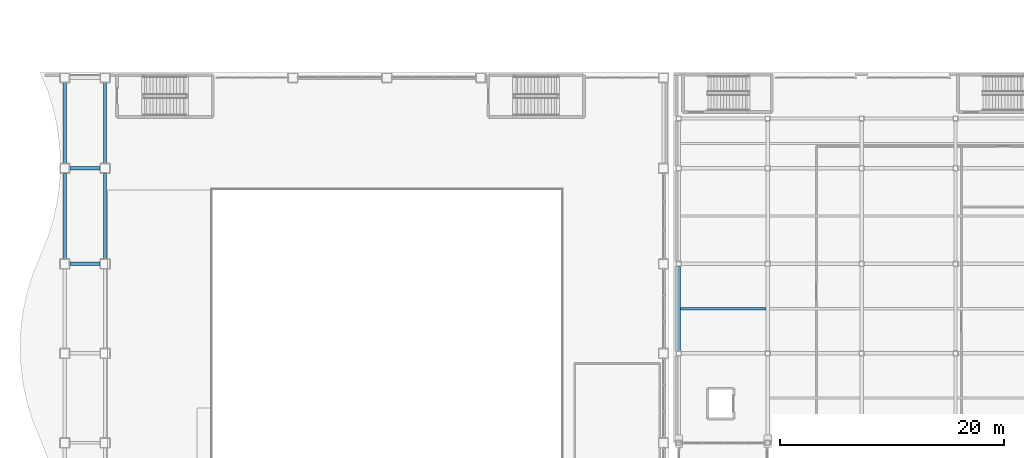
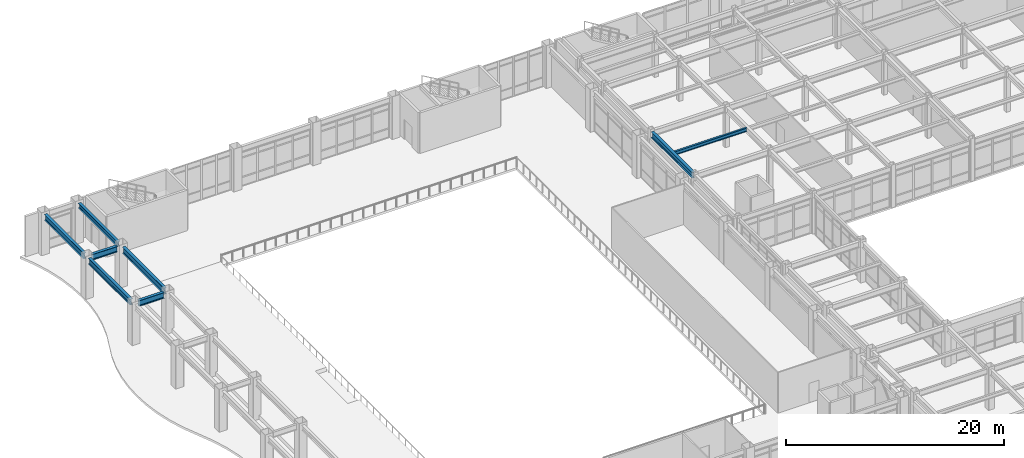
# One storey, part 67 of 172: 8 beams.
"""IFC4 building model written with IfcOpenShell, lengths in metres."""

from ifc_helpers import new_model, si_unit, direction, frame, origin, origin_2d, place, context, subcontext, project, spatial, i_section, extrude, material, material_profile, profile_set, type_object, element, save


model = new_model("IFC4")

# Units and contexts
model_context = context("Model", 3, precision=1e-05, world=origin(), true_north=direction((0.0, 1.0)))
body_context = subcontext(model_context, "Body", "Model", "MODEL_VIEW")
ifc_project = project(units=[si_unit("LENGTHUNIT", "METRE"), si_unit("AREAUNIT", "SQUARE_METRE"), si_unit("VOLUMEUNIT", "CUBIC_METRE"), si_unit("PLANEANGLEUNIT", "RADIAN"), si_unit("MASSUNIT", "GRAM", prefix="KILO")], contexts=[model_context])

# Site, building, storey
site_placement = place(None, origin())
site = spatial("IfcSite", under=ifc_project, at=site_placement, CompositionType="ELEMENT")
building_placement = place(site_placement, origin())
building = spatial("IfcBuilding", under=site, at=building_placement, Name="Kazehara Bluff Congress Hotel", CompositionType="ELEMENT")
storey_placement = place(building_placement, frame((0.0, 0.0, 5.39990234375)))
storey = spatial("IfcBuildingStorey", under=building, at=storey_placement, Name="L01", CompositionType="ELEMENT", Elevation=5.39990234375)

# Beams
ifc_material_1 = material(Name="Steel SN490B", Category="steel")
ifc_material_profile_1 = material_profile(ifc_material_1, i_section(OverallWidth=0.300048828125, OverallDepth=0.64990234375, WebThickness=0.011962890625, FlangeThickness=0.02001953125, FilletRadius=0.012939453125, at=origin_2d()))
ifc_profile_set_1 = profile_set([ifc_material_profile_1], Name="Steel SN490B")
beam_type_1 = type_object("IfcBeamType", Name="TP-G-03", PredefinedType="BEAM", material=ifc_profile_set_1)
beam_1_placement = place(storey_placement, frame((4.800048828125, 97.35009765625, 4.22509765625), z_axis=(0.0, 1.0, 0.0), x_axis=(-1.0, 0.0, 0.0)))
element("IfcBeam", 1, at=beam_1_placement, inside=storey, type_object=beam_type_1, Name="L01 girder G-03 7", PredefinedType="BEAM", context=body_context, shape_type="SweptSolid", body=[
    extrude(i_section(OverallWidth=0.300048828125, OverallDepth=0.64990234375, WebThickness=0.011962890625, FlangeThickness=0.02001953125, FilletRadius=0.012939453125, at=origin_2d()), origin(), (0.0, 0.0, 1.0), 7.64990234375),
])
beam_2_placement = place(storey_placement, frame((4.800048828125, 105.89990234375, 4.22509765625), z_axis=(0.0, 1.0, 0.0), x_axis=(-1.0, 0.0, 0.0)))
element("IfcBeam", 2, at=beam_2_placement, inside=storey, type_object=beam_type_1, Name="L01 girder G-03 8", PredefinedType="BEAM", context=body_context, shape_type="SweptSolid", body=[
    extrude(i_section(OverallWidth=0.300048828125, OverallDepth=0.64990234375, WebThickness=0.011962890625, FlangeThickness=0.02001953125, FilletRadius=0.012939453125, at=origin_2d()), origin(), (0.0, 0.0, 1.0), 7.2001953125),
])
for number, where, z_axis, x_axis, name in (
    (3, (5.25, 96.89990234375, 4.22509765625), (1.0, 0.0, 0.0), (0.0, 1.0, 0.0), "L01 girder G-03 36"),
    (4, (5.25, 105.449951171875, 4.22509765625), (1.0, 0.0, 0.0), (0.0, 1.0, 0.0), "L01 girder G-03 37"),
):
    element("IfcBeam", number, at=place(storey_placement, frame(where, z_axis=z_axis, x_axis=x_axis)), inside=storey, type_object=beam_type_1, Name=name, PredefinedType="BEAM", context=body_context, shape_type="SweptSolid", body=[
        extrude(i_section(OverallWidth=0.300048828125, OverallDepth=0.64990234375, WebThickness=0.011962890625, FlangeThickness=0.02001953125, FilletRadius=0.012939453125, at=origin_2d()), origin(), (0.0, 0.0, 1.0), 2.699951171875),
    ])
beam_3_placement = place(storey_placement, frame((59.699951171875, 89.125, 4.22509765625), z_axis=(0.0, 1.0, 0.0), x_axis=(-1.0, 0.0, 0.0)))
element("IfcBeam", 5, at=beam_3_placement, inside=storey, type_object=beam_type_1, Name="L01 girder G-03 100", PredefinedType="BEAM", context=body_context, shape_type="SweptSolid", body=[
    extrude(i_section(OverallWidth=0.300048828125, OverallDepth=0.64990234375, WebThickness=0.011962890625, FlangeThickness=0.02001953125, FilletRadius=0.012939453125, at=origin_2d()), origin(), (0.0, 0.0, 1.0), 7.550048828125),
])
ifc_material_2 = material(Name="Steel SN400B", Category="steel")
ifc_material_profile_2 = material_profile(ifc_material_2, i_section(OverallWidth=0.199951171875, OverallDepth=0.39990234375, WebThickness=0.008056640625, FlangeThickness=0.012939453125, FilletRadius=0.012939453125, at=origin_2d()))
ifc_profile_set_2 = profile_set([ifc_material_profile_2], Name="Steel SN400B")
beam_type_2 = type_object("IfcBeamType", Name="TP-J-03", PredefinedType="JOIST", material=ifc_profile_set_2)
beam_4_placement = place(storey_placement, frame((59.85009765625, 92.89990234375, 4.35009765625), z_axis=(1.0, 0.0, 0.0), x_axis=(0.0, 1.0, 0.0)))
element("IfcBeam", 6, at=beam_4_placement, inside=storey, type_object=beam_type_2, Name="L01 secondary joist J-03 14", PredefinedType="JOIST", context=body_context, shape_type="SweptSolid", body=[
    extrude(i_section(OverallWidth=0.199951171875, OverallDepth=0.39990234375, WebThickness=0.008056640625, FlangeThickness=0.012939453125, FilletRadius=0.012939453125, at=origin_2d()), origin(), (0.0, 0.0, 1.0), 7.64990234375),
])
ifc_material_3 = material(Name="Steel SN490B", Category="steel")
ifc_material_profile_3 = material_profile(ifc_material_3, i_section(OverallWidth=0.300048828125, OverallDepth=0.550048828125, WebThickness=0.010986328125, FlangeThickness=0.01806640625, FilletRadius=0.012939453125, at=origin_2d()))
ifc_profile_set_3 = profile_set([ifc_material_profile_3], Name="Steel SN490B")
beam_type_3 = type_object("IfcBeamType", Name="TP-SP-01", PredefinedType="SPANDREL", material=ifc_profile_set_3)
beam_5_placement = place(storey_placement, frame((8.39990234375, 105.89990234375, 4.275146484375), z_axis=(0.0, 1.0, 0.0), x_axis=(-1.0, 0.0, 0.0)))
element("IfcBeam", 7, at=beam_5_placement, inside=storey, type_object=beam_type_3, Name="L01 girder SP-01 16", PredefinedType="SPANDREL", context=body_context, shape_type="SweptSolid", body=[
    extrude(i_section(OverallWidth=0.300048828125, OverallDepth=0.550048828125, WebThickness=0.010986328125, FlangeThickness=0.01806640625, FilletRadius=0.012939453125, at=origin_2d()), origin(), (0.0, 0.0, 1.0), 7.2001953125),
])
ifc_material_4 = material(Name="Steel SN490B", Category="steel")
ifc_material_profile_4 = material_profile(ifc_material_4, i_section(OverallWidth=0.300048828125, OverallDepth=0.699951171875, WebThickness=0.012939453125, FlangeThickness=0.02392578125, FilletRadius=0.01806640625, at=origin_2d()))
ifc_profile_set_4 = profile_set([ifc_material_profile_4], Name="Steel SN490B")
beam_type_4 = type_object("IfcBeamType", Name="TP-SP-03", PredefinedType="SPANDREL", material=ifc_profile_set_4)
beam_6_placement = place(storey_placement, frame((8.39990234375, 97.35009765625, 4.2001953125), z_axis=(0.0, 1.0, 0.0), x_axis=(-1.0, 0.0, 0.0)))
element("IfcBeam", 8, at=beam_6_placement, inside=storey, type_object=beam_type_4, Name="L01 girder SP-03 15", PredefinedType="SPANDREL", context=body_context, shape_type="SweptSolid", body=[
    extrude(i_section(OverallWidth=0.300048828125, OverallDepth=0.699951171875, WebThickness=0.012939453125, FlangeThickness=0.02392578125, FilletRadius=0.01806640625, at=origin_2d()), origin(), (0.0, 0.0, 1.0), 7.64990234375),
])

save(model, "model.ifc")
